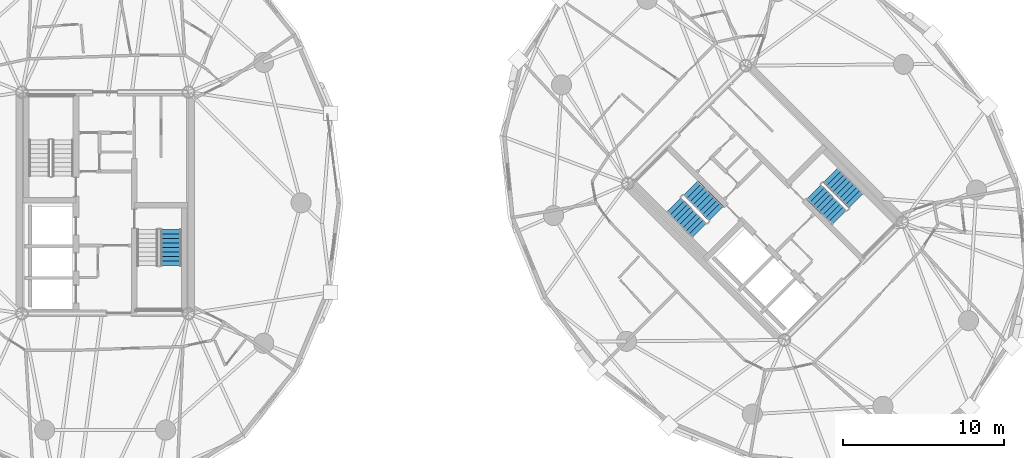
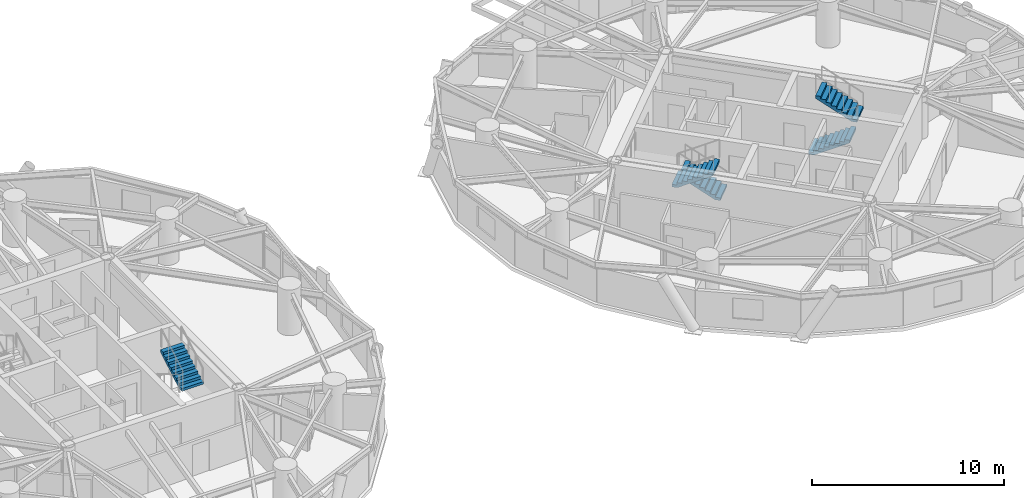
# One storey, part 16 of 19: 5 stair flights, 3 elements without a shape of their own.
"""IFC4 building model written with IfcOpenShell, lengths in metres."""

from ifc_helpers import new_model, si_unit, direction, frame, origin, place, context, subcontext, project, spatial, polyline, outline, extrude, material, type_object, element, aggregate, save


model = new_model("IFC4")

# Units and contexts
model_context = context("Model", 3, precision=1e-05, world=origin(), true_north=direction((0.0, 1.0)))
body_context = subcontext(model_context, "Body", "Model", "MODEL_VIEW")
ifc_project = project(units=[si_unit("LENGTHUNIT", "METRE"), si_unit("AREAUNIT", "SQUARE_METRE"), si_unit("VOLUMEUNIT", "CUBIC_METRE"), si_unit("PLANEANGLEUNIT", "RADIAN"), si_unit("MASSUNIT", "GRAM", prefix="KILO")], contexts=[model_context])

# Site, building, storey
site_placement = place(None, origin())
site = spatial("IfcSite", under=ifc_project, at=site_placement, CompositionType="ELEMENT")
building_placement = place(site_placement, origin())
building = spatial("IfcBuilding", under=site, at=building_placement, Name="Cununo Teusaquillo Station Towers", CompositionType="ELEMENT")
storey_placement = place(building_placement, frame((0.0, 0.0, 151.60009765625)))
storey = spatial("IfcBuildingStorey", under=building, at=storey_placement, Name="L47", CompositionType="ELEMENT", Elevation=151.60009765625)

# Stair, stair flight
ifc_material_1 = material(Name="Concrete C50/60", Category="concrete")
stair_type = type_object("IfcStairType", Name="ST-TWR-1300", PredefinedType="HALF_TURN_STAIR", material=ifc_material_1)
stair_1_placement = place(storey_placement, origin())
stair_1 = element("IfcStair", 1, at=stair_1_placement, inside=storey, type_object=stair_type, Name="L47 Tower A Protected Core Exit Stair 2", PredefinedType="HALF_TURN_STAIR")
ifc_material_2 = material(Name="Concrete C50/60", Category="concrete")
stair_flight_type = type_object("IfcStairFlightType", Name="SFL-TWR-1300", PredefinedType="STRAIGHT", material=ifc_material_2)
stair_flight_1_placement = place(storey_placement, frame((20.590087890625, 20.590087890625, 1.454833984375), z_axis=(0.0, 0.0, 1.0), x_axis=(0.0, 1.0, 0.0)))
stair_flight_1 = element("IfcStairFlight", 2, at=stair_flight_1_placement, type_object=stair_flight_type, Name="ST-T1-2 flight 2", NumberOfRisers=9, NumberOfTreads=8, PredefinedType="STRAIGHT", RiserHeight=0.161666667, TreadLength=0.28, context=body_context, shape_type="SweptSolid", body=[
    extrude(outline(polyline([(0.0, 0.0), (0.0, 0.16162109375), (0.280029296875, 0.16162109375), (0.280029296875, 0.3232421875), (0.56005859375, 0.3232421875), (0.56005859375, 0.485107421875), (0.840087890625, 0.485107421875), (0.840087890625, 0.646728515625), (1.1201171875, 0.646728515625), (1.1201171875, 0.808349609375), (1.39990234375, 0.808349609375), (1.39990234375, 0.969970703125), (1.679931640625, 0.969970703125), (1.679931640625, 1.131591796875), (1.9599609375, 1.131591796875), (1.9599609375, 1.293212890625), (2.239990234375, 1.293212890625), (2.239990234375, 1.455078125), (2.239990234375, 1.1201171875), (0.2998046875, 0.0), (0.0, 0.0)])), frame((0.0, 0.64990234375, 0.0), z_axis=(0.0, -1.0, 0.0), x_axis=(1.0, 0.0, 0.0)), (0.0, 0.0, 1.0), 1.300048828125),
])
aggregate(stair_1, [stair_flight_1])

# Stair, stair flights
stair_2_placement = place(storey_placement, origin())
stair_2 = element("IfcStair", 3, at=stair_2_placement, inside=storey, type_object=stair_type, Name="L47 Tower B Protected Core Exit Stair 1", PredefinedType="HALF_TURN_STAIR")
stair_flight_2_placement = place(storey_placement, frame((54.45947265625, 23.8212890625, 0.0), z_axis=(0.0, 0.0, 1.0), x_axis=(-0.707106781187, 0.707106781187, 0.0)))
stair_flight_2 = element("IfcStairFlight", 4, at=stair_flight_2_placement, type_object=stair_flight_type, Name="ST-T2-1 flight 1", NumberOfRisers=9, NumberOfTreads=8, PredefinedType="STRAIGHT", RiserHeight=0.161666667, TreadLength=0.28, context=body_context, shape_type="SweptSolid", body=[
    extrude(outline(polyline([(0.0, 0.0), (0.0, 0.16162109375), (0.280029296875, 0.16162109375), (0.280029296875, 0.3232421875), (0.56005859375, 0.3232421875), (0.56005859375, 0.485107421875), (0.840087890625, 0.485107421875), (0.840087890625, 0.646728515625), (1.1201171875, 0.646728515625), (1.1201171875, 0.808349609375), (1.39990234375, 0.808349609375), (1.39990234375, 0.969970703125), (1.679931640625, 0.969970703125), (1.679931640625, 1.131591796875), (1.9599609375, 1.131591796875), (1.9599609375, 1.293212890625), (2.239990234375, 1.293212890625), (2.239990234375, 1.455078125), (2.239990234375, 1.1201171875), (0.2998046875, 0.0), (0.0, 0.0)])), frame((0.0, 0.64990234375, 0.0), z_axis=(0.0, -1.0, 0.0), x_axis=(1.0, 0.0, 0.0)), (0.0, 0.0, 1.0), 1.300048828125),
])
stair_flight_3_placement = place(storey_placement, frame((51.84326171875, 24.372802734375, 1.454833984375), z_axis=(0.0, 0.0, 1.0), x_axis=(0.707106781187, -0.707106781187, 0.0)))
stair_flight_3 = element("IfcStairFlight", 5, at=stair_flight_3_placement, type_object=stair_flight_type, Name="ST-T2-1 flight 2", NumberOfRisers=9, NumberOfTreads=8, PredefinedType="STRAIGHT", RiserHeight=0.161666667, TreadLength=0.28, context=body_context, shape_type="SweptSolid", body=[
    extrude(outline(polyline([(0.0, 0.0), (0.0, 0.16162109375), (0.280029296875, 0.16162109375), (0.280029296875, 0.3232421875), (0.56005859375, 0.3232421875), (0.56005859375, 0.485107421875), (0.840087890625, 0.485107421875), (0.840087890625, 0.646728515625), (1.1201171875, 0.646728515625), (1.1201171875, 0.808349609375), (1.39990234375, 0.808349609375), (1.39990234375, 0.969970703125), (1.679931640625, 0.969970703125), (1.679931640625, 1.131591796875), (1.9599609375, 1.131591796875), (1.9599609375, 1.293212890625), (2.239990234375, 1.293212890625), (2.239990234375, 1.455078125), (2.239990234375, 1.1201171875), (0.2998046875, 0.0), (0.0, 0.0)])), frame((0.0, 0.64990234375, 0.0), z_axis=(0.0, -1.0, 0.0), x_axis=(1.0, 0.0, 0.0)), (0.0, 0.0, 1.0), 1.300048828125),
])
aggregate(stair_2, [stair_flight_2, stair_flight_3])

stair_3_placement = place(storey_placement, origin())
stair_3 = element("IfcStair", 6, at=stair_3_placement, inside=storey, type_object=stair_type, Name="L47 Tower B Protected Core Exit Stair 2", PredefinedType="HALF_TURN_STAIR")
stair_flight_4_placement = place(storey_placement, frame((60.54052734375, 25.1787109375, 0.0), z_axis=(0.0, 0.0, 1.0), x_axis=(0.707106781187, -0.707106781187, 0.0)))
stair_flight_4 = element("IfcStairFlight", 7, at=stair_flight_4_placement, type_object=stair_flight_type, Name="ST-T2-2 flight 1", NumberOfRisers=9, NumberOfTreads=8, PredefinedType="STRAIGHT", RiserHeight=0.161666667, TreadLength=0.28, context=body_context, shape_type="SweptSolid", body=[
    extrude(outline(polyline([(0.0, 0.0), (0.0, 0.16162109375), (0.280029296875, 0.16162109375), (0.280029296875, 0.3232421875), (0.56005859375, 0.3232421875), (0.56005859375, 0.485107421875), (0.840087890625, 0.485107421875), (0.840087890625, 0.646728515625), (1.1201171875, 0.646728515625), (1.1201171875, 0.808349609375), (1.39990234375, 0.808349609375), (1.39990234375, 0.969970703125), (1.679931640625, 0.969970703125), (1.679931640625, 1.131591796875), (1.9599609375, 1.131591796875), (1.9599609375, 1.293212890625), (2.239990234375, 1.293212890625), (2.239990234375, 1.455078125), (2.239990234375, 1.1201171875), (0.2998046875, 0.0), (0.0, 0.0)])), frame((0.0, 0.64990234375, 0.0), z_axis=(0.0, -1.0, 0.0), x_axis=(1.0, 0.0, 0.0)), (0.0, 0.0, 1.0), 1.300048828125),
])
stair_flight_5_placement = place(storey_placement, frame((63.15673828125, 24.627197265625, 1.454833984375), z_axis=(0.0, 0.0, 1.0), x_axis=(-0.707106781187, 0.707106781187, 0.0)))
stair_flight_5 = element("IfcStairFlight", 8, at=stair_flight_5_placement, type_object=stair_flight_type, Name="ST-T2-2 flight 2", NumberOfRisers=9, NumberOfTreads=8, PredefinedType="STRAIGHT", RiserHeight=0.161666667, TreadLength=0.28, context=body_context, shape_type="SweptSolid", body=[
    extrude(outline(polyline([(0.0, 0.0), (0.0, 0.16162109375), (0.280029296875, 0.16162109375), (0.280029296875, 0.3232421875), (0.56005859375, 0.3232421875), (0.56005859375, 0.485107421875), (0.840087890625, 0.485107421875), (0.840087890625, 0.646728515625), (1.1201171875, 0.646728515625), (1.1201171875, 0.808349609375), (1.39990234375, 0.808349609375), (1.39990234375, 0.969970703125), (1.679931640625, 0.969970703125), (1.679931640625, 1.131591796875), (1.9599609375, 1.131591796875), (1.9599609375, 1.293212890625), (2.239990234375, 1.293212890625), (2.239990234375, 1.455078125), (2.239990234375, 1.1201171875), (0.2998046875, 0.0), (0.0, 0.0)])), frame((0.0, 0.64990234375, 0.0), z_axis=(0.0, -1.0, 0.0), x_axis=(1.0, 0.0, 0.0)), (0.0, 0.0, 1.0), 1.300048828125),
])
aggregate(stair_3, [stair_flight_4, stair_flight_5])

save(model, "model.ifc")
